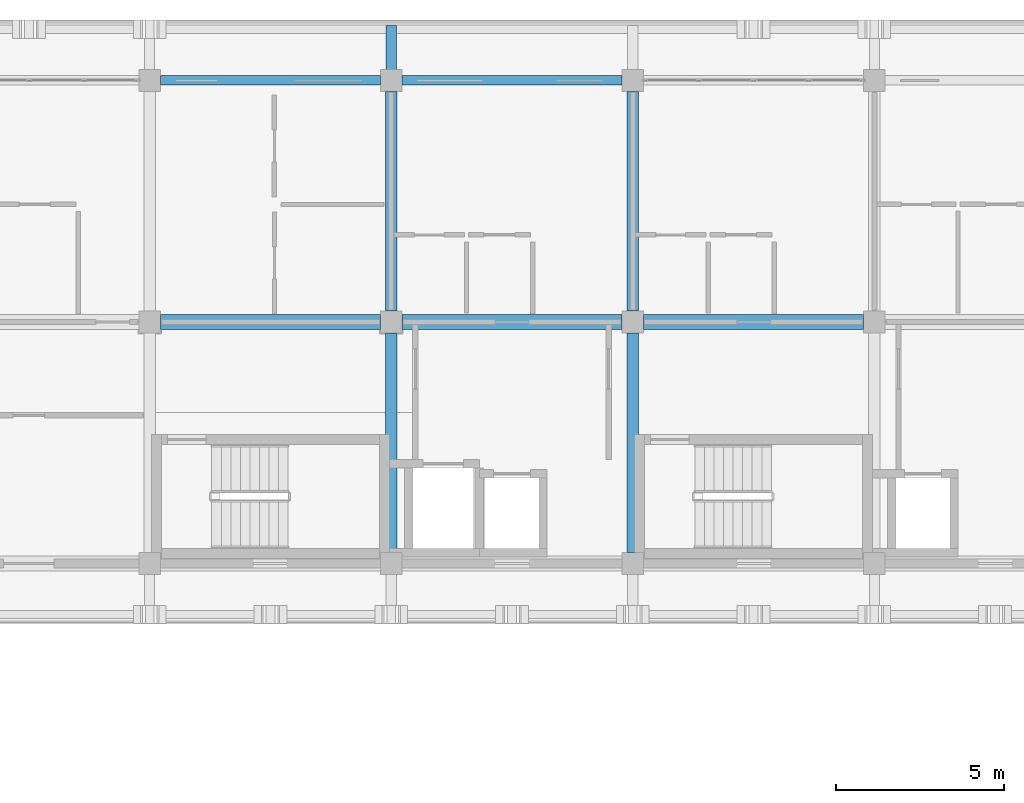
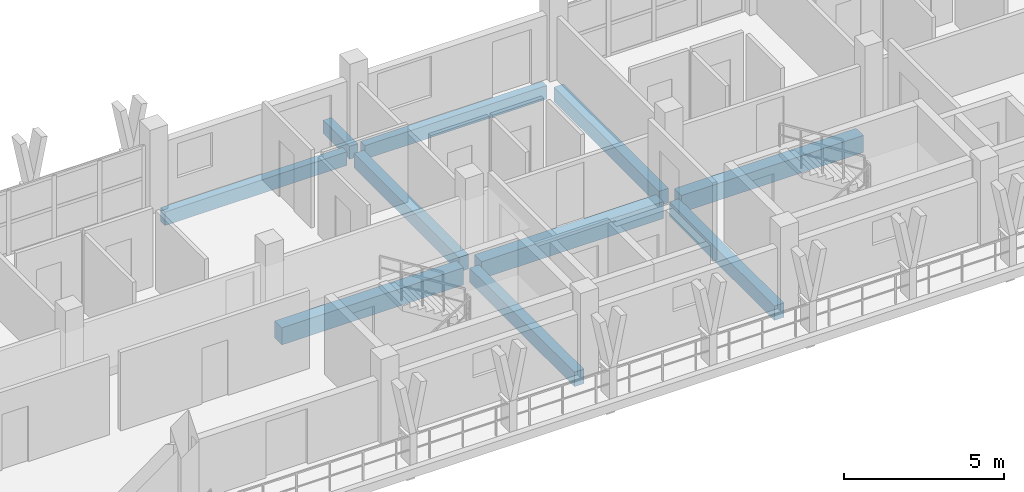
# One storey, part 13 of 76: 10 beams.
"""IFC4 building model written with IfcOpenShell, lengths in metres."""

from ifc_helpers import new_model, si_unit, direction, frame, origin, origin_2d, place, context, subcontext, project, spatial, rectangle, extrude, material, material_profile, profile_set, type_object, element, save


model = new_model("IFC4")

# Units and contexts
model_context = context("Model", 3, precision=1e-05, world=origin(), true_north=direction((0.0, 1.0)))
body_context = subcontext(model_context, "Body", "Model", "MODEL_VIEW")
ifc_project = project(units=[si_unit("LENGTHUNIT", "METRE"), si_unit("AREAUNIT", "SQUARE_METRE"), si_unit("VOLUMEUNIT", "CUBIC_METRE"), si_unit("PLANEANGLEUNIT", "RADIAN"), si_unit("MASSUNIT", "GRAM", prefix="KILO")], contexts=[model_context])

# Site, building, storey
site_placement = place(None, origin())
site = spatial("IfcSite", under=ifc_project, at=site_placement, CompositionType="ELEMENT")
building_placement = place(site_placement, origin())
building = spatial("IfcBuilding", under=site, at=building_placement, Name="Suanplinth Sawtooth Commons", CompositionType="ELEMENT")
storey_placement = place(building_placement, frame((0.0, 0.0, 12.199951171875)))
storey = spatial("IfcBuildingStorey", under=building, at=storey_placement, Name="L03", CompositionType="ELEMENT", Elevation=12.199951171875)

# Beams
ifc_material = material(Name="Precast concrete C40/50", Category="concrete")
ifc_material_profile_1 = material_profile(ifc_material, rectangle(XDim=0.449951171875, YDim=0.64990234375, at=origin_2d()), Name="PC-GDR 450x650")
ifc_profile_set_1 = profile_set([ifc_material_profile_1], Name="Precast concrete C40/50")
beam_type_1 = type_object("IfcBeamType", Name="B-04", PredefinedType="USERDEFINED", material=ifc_profile_set_1)
beam_1_placement = place(storey_placement, frame((43.52490234375, 115.199951171875, -0.56494140625), z_axis=(1.0, 0.0, 0.0), x_axis=(0.0, 1.0, 0.0)))
element("IfcBeam", 1, at=beam_1_placement, inside=storey, type_object=beam_type_1, Name="BMX-L03-A-6-16", ObjectType="GIRDER", PredefinedType="USERDEFINED", context=body_context, shape_type="SweptSolid", body=[
    extrude(rectangle(XDim=0.449951171875, YDim=0.64990234375, at=origin_2d()), origin(), (0.0, 0.0, 1.0), 6.550048828125),
])
beam_2_placement = place(storey_placement, frame((50.72509765625, 115.199951171875, -0.56494140625), z_axis=(1.0, 0.0, 0.0), x_axis=(0.0, 1.0, 0.0)))
element("IfcBeam", 2, at=beam_2_placement, inside=storey, type_object=beam_type_1, Name="BMX-L03-A-7-16", ObjectType="GIRDER", PredefinedType="USERDEFINED", context=body_context, shape_type="SweptSolid", body=[
    extrude(rectangle(XDim=0.449951171875, YDim=0.64990234375, at=origin_2d()), origin(), (0.0, 0.0, 1.0), 6.5498046875),
])
beam_3_placement = place(storey_placement, frame((57.925048828125, 115.199951171875, -0.56494140625), z_axis=(1.0, 0.0, 0.0), x_axis=(0.0, 1.0, 0.0)))
element("IfcBeam", 3, at=beam_3_placement, inside=storey, type_object=beam_type_1, Name="BMX-L03-A-8-16", ObjectType="GIRDER", PredefinedType="USERDEFINED", context=body_context, shape_type="SweptSolid", body=[
    extrude(rectangle(XDim=0.449951171875, YDim=0.64990234375, at=origin_2d()), origin(), (0.0, 0.0, 1.0), 6.550048828125),
])
ifc_material_profile_2 = material_profile(ifc_material, rectangle(XDim=0.35009765625, YDim=0.550048828125, at=origin_2d()), Name="PC-BM 350x550")
ifc_profile_set_2 = profile_set([ifc_material_profile_2], Name="Precast concrete C40/50")
beam_type_2 = type_object("IfcBeamType", Name="B-06", PredefinedType="BEAM", material=ifc_profile_set_2)
for number, where, z_axis, x_axis, name in (
    (4, (50.39990234375, 108.324951171875, -0.514892578125), (0.0, 1.0, 0.0), (-1.0, 0.0, 0.0), "BMY-L03-A-7-15"),
    (5, (50.39990234375, 115.52490234375, -0.514892578125), (0.0, 1.0, 0.0), (-1.0, 0.0, 0.0), "BMY-L03-A-7-16"),
    (6, (57.60009765625, 108.324951171875, -0.514892578125), (0.0, 1.0, 0.0), (-1.0, 0.0, 0.0), "BMY-L03-A-8-15"),
    (7, (57.60009765625, 115.52490234375, -0.514892578125), (0.0, 1.0, 0.0), (-1.0, 0.0, 0.0), "BMY-L03-A-8-16"),
):
    element("IfcBeam", number, at=place(storey_placement, frame(where, z_axis=z_axis, x_axis=x_axis)), inside=storey, type_object=beam_type_2, Name=name, PredefinedType="BEAM", context=body_context, shape_type="SweptSolid", body=[
        extrude(rectangle(XDim=0.35009765625, YDim=0.550048828125, at=origin_2d()), origin(), (0.0, 0.0, 1.0), 6.550048828125),
    ])
ifc_material_profile_3 = material_profile(ifc_material, rectangle(XDim=0.300048828125, YDim=0.5, at=origin_2d()), Name="PC-BM 300x500")
ifc_profile_set_3 = profile_set([ifc_material_profile_3], Name="Precast concrete C40/50")
beam_type_3 = type_object("IfcBeamType", Name="B-07", PredefinedType="BEAM", material=ifc_profile_set_3)
beam_4_placement = place(storey_placement, frame((50.39990234375, 122.39990234375, -0.429931640625), z_axis=(0.0, 1.0, 0.0), x_axis=(-1.0, 0.0, 0.0)))
element("IfcBeam", 8, at=beam_4_placement, inside=storey, type_object=beam_type_3, Name="Balcony Outrigger L03-A-N-7", PredefinedType="BEAM", context=body_context, shape_type="SweptSolid", body=[
    extrude(rectangle(XDim=0.300048828125, YDim=0.5, at=origin_2d()), origin(), (0.0, 0.0, 1.0), 1.64013671875),
])
ifc_material_profile_4 = material_profile(ifc_material, rectangle(XDim=0.280029296875, YDim=0.52001953125, at=origin_2d()), Name="PC-SP 280x520")
ifc_profile_set_4 = profile_set([ifc_material_profile_4], Name="Precast concrete C40/50")
beam_type_4 = type_object("IfcBeamType", Name="B-08", PredefinedType="SPANDREL", material=ifc_profile_set_4)
beam_5_placement = place(storey_placement, frame((43.52490234375, 122.39990234375, -0.5), z_axis=(1.0, 0.0, 0.0), x_axis=(0.0, 1.0, 0.0)))
element("IfcBeam", 9, at=beam_5_placement, inside=storey, type_object=beam_type_4, Name="BMX-L03-A-6-17", PredefinedType="SPANDREL", context=body_context, shape_type="SweptSolid", body=[
    extrude(rectangle(XDim=0.280029296875, YDim=0.52001953125, at=origin_2d()), origin(), (0.0, 0.0, 1.0), 6.550048828125),
])
beam_6_placement = place(storey_placement, frame((50.72509765625, 122.39990234375, -0.5), z_axis=(1.0, 0.0, 0.0), x_axis=(0.0, 1.0, 0.0)))
element("IfcBeam", 10, at=beam_6_placement, inside=storey, type_object=beam_type_4, Name="BMX-L03-A-7-17", PredefinedType="SPANDREL", context=body_context, shape_type="SweptSolid", body=[
    extrude(rectangle(XDim=0.280029296875, YDim=0.52001953125, at=origin_2d()), origin(), (0.0, 0.0, 1.0), 6.5498046875),
])

save(model, "model.ifc")
